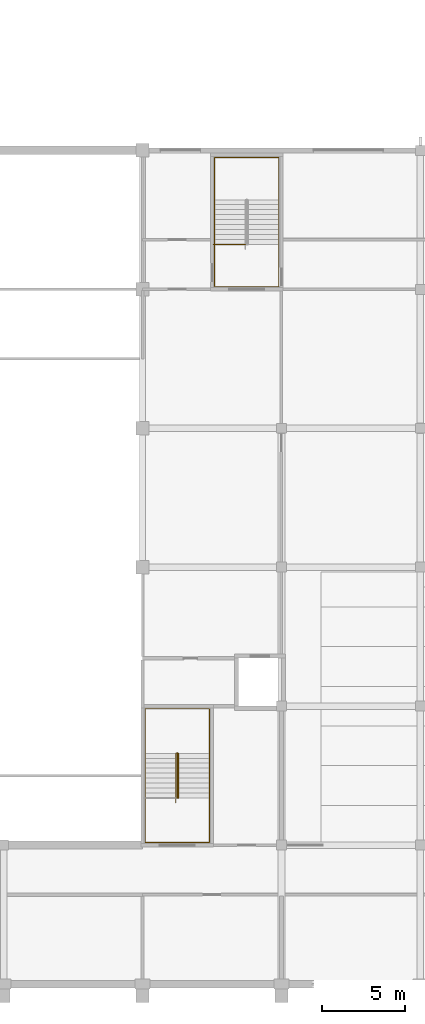
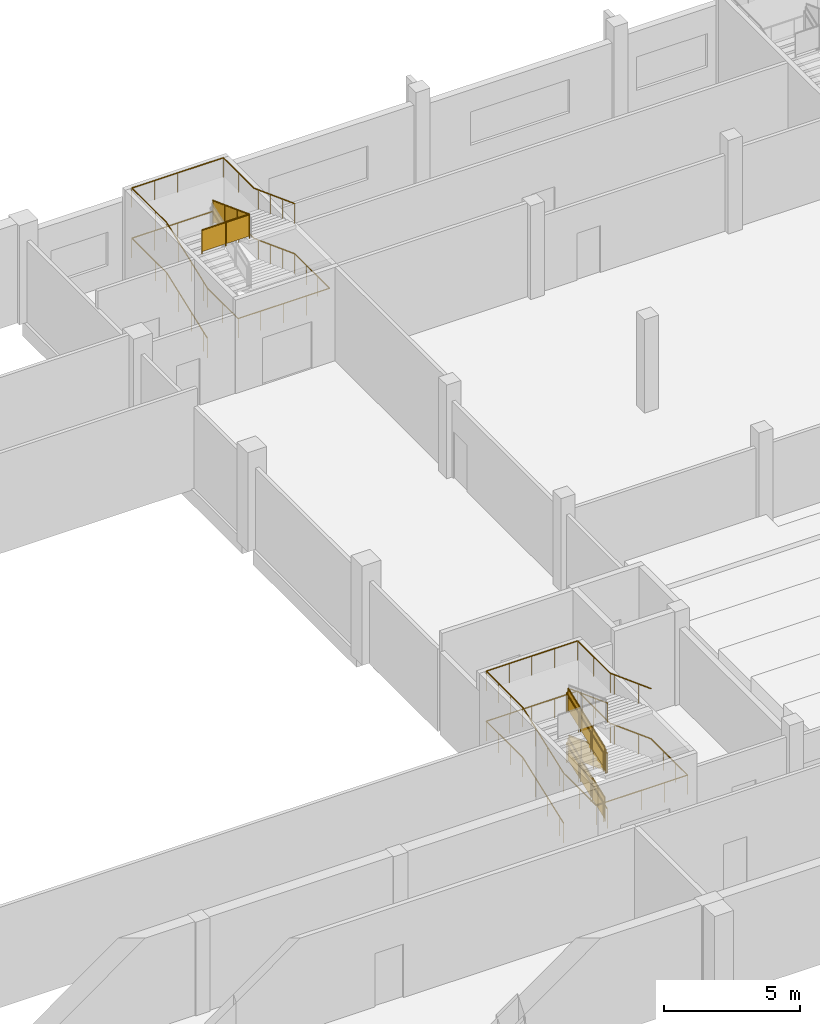
# One storey, part 48 of 56: 7 railings.
"""IFC4 building model written with IfcOpenShell, lengths in metres."""

from ifc_helpers import new_model, si_unit, direction, frame, origin, origin_2d, place, context, subcontext, project, spatial, polyline, circle, outline, extrude, material, type_object, element, save


model = new_model("IFC4")

# Units and contexts
model_context = context("Model", 3, precision=1e-05, world=origin(), true_north=direction((0.0, 1.0)))
body_context = subcontext(model_context, "Body", "Model", "MODEL_VIEW")
ifc_project = project(units=[si_unit("LENGTHUNIT", "METRE"), si_unit("AREAUNIT", "SQUARE_METRE"), si_unit("VOLUMEUNIT", "CUBIC_METRE"), si_unit("PLANEANGLEUNIT", "RADIAN"), si_unit("MASSUNIT", "GRAM", prefix="KILO")], contexts=[model_context])

# Site, building, storey
site_placement = place(None, origin())
site = spatial("IfcSite", under=ifc_project, at=site_placement, CompositionType="ELEMENT")
building_placement = place(site_placement, origin())
building = spatial("IfcBuilding", under=site, at=building_placement, Name="Rulbaag Community and Learning Centre", CompositionType="ELEMENT")
storey_placement = place(building_placement, frame((0.0, 0.0, 9.89990234375)))
storey = spatial("IfcBuildingStorey", under=building, at=storey_placement, Name="L02", CompositionType="ELEMENT", Elevation=9.89990234375)

# Railings
ifc_material_1 = material(Name="Galvanised mild steel", Category="steel")
railing_type_1 = type_object("IfcRailingType", Name="GR-1100 GUARD 1100", PredefinedType="GUARDRAIL", material=ifc_material_1)
railing_1_placement = place(storey_placement, frame((86.080078125, 11.25, 0.112548828125)))
element("IfcRailing", 1, at=railing_1_placement, inside=storey, type_object=railing_type_1, Name="Guard SH2 L02 G", PredefinedType="GUARDRAIL", context=body_context, shape_type="SweptSolid", body=[
    extrude(circle(Radius=0.02490234375, at=origin_2d()), frame((0.0, 0.0, 1.0751953125), z_axis=(0.0, 0.93633265699, 0.351114162993), x_axis=(-1.0, 0.0, 0.0)), (0.0, 0.0, 1.0), 2.883544921875),
    extrude(circle(Radius=0.02001953125, at=origin_2d()), origin(), (0.0, 0.0, 1.0), 1.050048828125),
    extrude(circle(Radius=0.02001953125, at=origin_2d()), frame((0.0, 0.89990234375, 0.33740234375)), (0.0, 0.0, 1.0), 1.050048828125),
    extrude(circle(Radius=0.02001953125, at=origin_2d()), frame((0.0, 1.800048828125, 0.675048828125)), (0.0, 0.0, 1.0), 1.050048828125),
    extrude(circle(Radius=0.02001953125, at=origin_2d()), frame((0.0, 2.699951171875, 1.012451171875)), (0.0, 0.0, 1.0), 1.050048828125),
    extrude(outline(polyline([(0.0, 0.0), (2.699951171875, 1.012451171875), (2.699951171875, 1.96240234375), (0.0, 0.949951171875), (0.0, 0.0)])), frame((-0.0048828125, 0.0, 0.10009765625), z_axis=(1.0, 0.0, 0.0), x_axis=(0.0, 1.0, 0.0)), (0.0, 0.0, 1.0), 0.010009765625),
])
railing_2_placement = place(storey_placement, frame((86.1201171875, 13.949951171875, 1.237548828125)))
element("IfcRailing", 2, at=railing_2_placement, inside=storey, type_object=railing_type_1, Name="Guard SH2 L02 G2", PredefinedType="GUARDRAIL", context=body_context, shape_type="SweptSolid", body=[
    extrude(circle(Radius=0.02490234375, at=origin_2d()), frame((0.0, 0.0, 1.0751953125), z_axis=(0.0, -0.93633265699, 0.351114162993), x_axis=(1.0, 0.0, 0.0)), (0.0, 0.0, 1.0), 2.883544921875),
    extrude(circle(Radius=0.02001953125, at=origin_2d()), origin(), (0.0, 0.0, 1.0), 1.050048828125),
    extrude(circle(Radius=0.02001953125, at=origin_2d()), frame((0.0, -0.89990234375, 0.33740234375)), (0.0, 0.0, 1.0), 1.050048828125),
    extrude(circle(Radius=0.02001953125, at=origin_2d()), frame((0.0, -1.800048828125, 0.675048828125)), (0.0, 0.0, 1.0), 1.050048828125),
    extrude(circle(Radius=0.02001953125, at=origin_2d()), frame((0.0, -2.699951171875, 1.012451171875)), (0.0, 0.0, 1.0), 1.050048828125),
    extrude(outline(polyline([(0.0, 0.0), (2.699951171875, 1.012451171875), (2.699951171875, 1.96240234375), (0.0, 0.949951171875), (0.0, 0.0)])), frame((0.0048828125, 0.0, 0.10009765625), z_axis=(-1.0, 0.0, 0.0), x_axis=(0.0, -1.0, 0.0)), (0.0, 0.0, 1.0), 0.010009765625),
])
railing_3_placement = place(storey_placement, frame((86.080078125, 11.25, 2.362548828125)))
element("IfcRailing", 3, at=railing_3_placement, inside=storey, type_object=railing_type_1, Name="Guard SH2 L02 G3", PredefinedType="GUARDRAIL", context=body_context, shape_type="SweptSolid", body=[
    extrude(circle(Radius=0.02490234375, at=origin_2d()), frame((0.0, 0.0, 1.0751953125), z_axis=(0.0, 0.93633265699, 0.351114162993), x_axis=(-1.0, 0.0, 0.0)), (0.0, 0.0, 1.0), 2.883544921875),
    extrude(circle(Radius=0.02001953125, at=origin_2d()), origin(), (0.0, 0.0, 1.0), 1.050048828125),
    extrude(circle(Radius=0.02001953125, at=origin_2d()), frame((0.0, 0.89990234375, 0.33740234375)), (0.0, 0.0, 1.0), 1.050048828125),
    extrude(circle(Radius=0.02001953125, at=origin_2d()), frame((0.0, 1.800048828125, 0.675048828125)), (0.0, 0.0, 1.0), 1.050048828125),
    extrude(circle(Radius=0.02001953125, at=origin_2d()), frame((0.0, 2.699951171875, 1.012451171875)), (0.0, 0.0, 1.0), 1.050048828125),
    extrude(outline(polyline([(0.0, 0.0), (2.699951171875, 1.012451171875), (2.699951171875, 1.96240234375), (0.0, 0.949951171875), (0.0, 0.0)])), frame((-0.0048828125, 0.0, 0.10009765625), z_axis=(1.0, 0.0, 0.0), x_axis=(0.0, 1.0, 0.0)), (0.0, 0.0, 1.0), 0.010009765625),
])
railing_4_placement = place(storey_placement, frame((90.320068359375, 47.41259765625, 3.487548828125)))
element("IfcRailing", 4, at=railing_4_placement, inside=storey, type_object=railing_type_1, Name="Guard SH6 L02 G4", PredefinedType="GUARDRAIL", context=body_context, shape_type="SweptSolid", body=[
    extrude(circle(Radius=0.02490234375, at=origin_2d()), frame((0.0, 0.0, 1.0751953125), z_axis=(0.0, -0.936343093598, 0.351086329941), x_axis=(1.0, 0.0, 0.0)), (0.0, 0.0, 1.0), 2.8837890625),
    extrude(circle(Radius=0.02490234375, at=origin_2d()), frame((0.0, -2.7001953125, 2.08740234375), z_axis=(-1.0, 0.0, 0.0), x_axis=(0.0, -1.0, 0.0)), (0.0, 0.0, 1.0), 2.02001953125),
    extrude(circle(Radius=0.02001953125, at=origin_2d()), origin(), (0.0, 0.0, 1.0), 1.050048828125),
    extrude(circle(Radius=0.02001953125, at=origin_2d()), frame((0.0, -0.900146484375, 0.33740234375)), (0.0, 0.0, 1.0), 1.050048828125),
    extrude(circle(Radius=0.02001953125, at=origin_2d()), frame((0.0, -1.800048828125, 0.675048828125)), (0.0, 0.0, 1.0), 1.050048828125),
    extrude(circle(Radius=0.02001953125, at=origin_2d()), frame((0.0, -2.7001953125, 1.012451171875)), (0.0, 0.0, 1.0), 1.050048828125),
    extrude(circle(Radius=0.02001953125, at=origin_2d()), frame((-1.010009765625, -2.7001953125, 1.012451171875)), (0.0, 0.0, 1.0), 1.050048828125),
    extrude(circle(Radius=0.02001953125, at=origin_2d()), frame((-2.02001953125, -2.7001953125, 1.012451171875)), (0.0, 0.0, 1.0), 1.050048828125),
    extrude(outline(polyline([(0.0, 0.0), (2.7001953125, 1.012451171875), (2.7001953125, 1.96240234375), (0.0, 0.949951171875), (0.0, 0.0)])), frame((0.0048828125, 0.0, 0.10009765625), z_axis=(-1.0, 0.0, 0.0), x_axis=(0.0, -1.0, 0.0)), (0.0, 0.0, 1.0), 0.010009765625),
    extrude(outline(polyline([(0.0, 0.0), (2.02001953125, 0.0), (2.02001953125, 0.949951171875), (0.0, 0.949951171875), (0.0, 0.0)])), frame((0.0, -2.705078125, 1.112548828125), z_axis=(0.0, 1.0, 0.0), x_axis=(-1.0, 0.0, 0.0)), (0.0, 0.0, 1.0), 0.010009765625),
])
ifc_material_2 = material(Name="Stainless steel grade 316", Category="steel")
railing_type_2 = type_object("IfcRailingType", Name="HR-900 HANDRAIL 900", PredefinedType="HANDRAIL", material=ifc_material_2)
railing_5_placement = place(storey_placement, frame((84.159912109375, 10.949951171875, 0.0)))
element("IfcRailing", 5, at=railing_5_placement, inside=storey, type_object=railing_type_2, Name="Handrail SH2 L02 O", PredefinedType="HANDRAIL", context=body_context, shape_type="SweptSolid", body=[
    extrude(circle(Radius=0.024169921875, at=origin_2d()), frame((0.0, 0.0, 0.875732421875), z_axis=(0.0, 0.936297865471, 0.351206929196), x_axis=(-1.0, 0.0, 0.0)), (0.0, 0.0, 1.0), 0.320556640625),
    extrude(circle(Radius=0.024169921875, at=origin_2d()), frame((0.0, 0.300048828125, 0.98828125), z_axis=(0.0, 0.93633265699, 0.351114162993), x_axis=(-1.0, 0.0, 0.0)), (0.0, 0.0, 1.0), 2.883544921875),
    extrude(circle(Radius=0.024169921875, at=origin_2d()), frame((0.0, 3.0, 2.000732421875), z_axis=(0.0, 1.0, 0.0), x_axis=(-1.0, 0.0, 0.0)), (0.0, 0.0, 1.0), 2.68994140625),
    extrude(circle(Radius=0.024169921875, at=origin_2d()), frame((0.0, 5.68994140625, 2.000732421875), z_axis=(1.0, 0.0, 0.0), x_axis=(0.0, 1.0, 0.0)), (0.0, 0.0, 1.0), 3.880126953125),
    extrude(circle(Radius=0.024169921875, at=origin_2d()), frame((3.880126953125, 5.68994140625, 2.000732421875), z_axis=(0.0, -1.0, 0.0), x_axis=(1.0, 0.0, 0.0)), (0.0, 0.0, 1.0), 2.389892578125),
    extrude(circle(Radius=0.024169921875, at=origin_2d()), frame((3.880126953125, 3.300048828125, 2.000732421875), z_axis=(0.0, -0.936297865471, 0.351206929196), x_axis=(1.0, 0.0, 0.0)), (0.0, 0.0, 1.0), 0.320556640625),
    extrude(circle(Radius=0.024169921875, at=origin_2d()), frame((3.880126953125, 3.0, 2.11328125), z_axis=(0.0, -0.93633265699, 0.351114162993), x_axis=(1.0, 0.0, 0.0)), (0.0, 0.0, 1.0), 2.883544921875),
    extrude(circle(Radius=0.024169921875, at=origin_2d()), frame((3.880126953125, 0.300048828125, 3.125732421875), z_axis=(0.0, -1.0, 0.0), x_axis=(1.0, 0.0, 0.0)), (0.0, 0.0, 1.0), 2.68994140625),
    extrude(circle(Radius=0.024169921875, at=origin_2d()), frame((3.880126953125, -2.389892578125, 3.125732421875), z_axis=(-1.0, 0.0, 0.0), x_axis=(0.0, -1.0, 0.0)), (0.0, 0.0, 1.0), 3.880126953125),
    extrude(circle(Radius=0.024169921875, at=origin_2d()), frame((0.0, -2.389892578125, 3.125732421875), z_axis=(0.0, 1.0, 0.0), x_axis=(-1.0, 0.0, 0.0)), (0.0, 0.0, 1.0), 2.389892578125),
    extrude(circle(Radius=0.024169921875, at=origin_2d()), frame((0.0, 0.0, 3.125732421875), z_axis=(0.0, 0.936297865471, 0.351206929196), x_axis=(-1.0, 0.0, 0.0)), (0.0, 0.0, 1.0), 0.320556640625),
    extrude(circle(Radius=0.024169921875, at=origin_2d()), frame((0.0, 0.300048828125, 3.23828125), z_axis=(0.0, 0.93633265699, 0.351114162993), x_axis=(-1.0, 0.0, 0.0)), (0.0, 0.0, 1.0), 2.883544921875),
    extrude(circle(Radius=0.024169921875, at=origin_2d()), frame((0.0, 3.0, 4.250732421875), z_axis=(0.0, 1.0, 0.0), x_axis=(-1.0, 0.0, 0.0)), (0.0, 0.0, 1.0), 2.68994140625),
    extrude(circle(Radius=0.024169921875, at=origin_2d()), frame((0.0, 5.68994140625, 4.250732421875), z_axis=(1.0, 0.0, 0.0), x_axis=(0.0, 1.0, 0.0)), (0.0, 0.0, 1.0), 3.880126953125),
    extrude(circle(Radius=0.024169921875, at=origin_2d()), frame((3.880126953125, 5.68994140625, 4.250732421875), z_axis=(0.0, -1.0, 0.0), x_axis=(1.0, 0.0, 0.0)), (0.0, 0.0, 1.0), 2.389892578125),
    extrude(circle(Radius=0.024169921875, at=origin_2d()), frame((3.880126953125, 3.300048828125, 4.250732421875), z_axis=(0.0, -0.936297865471, 0.351206929196), x_axis=(1.0, 0.0, 0.0)), (0.0, 0.0, 1.0), 0.320556640625),
    extrude(circle(Radius=0.024169921875, at=origin_2d()), frame((3.880126953125, 3.0, 4.36328125), z_axis=(0.0, -0.93633265699, 0.351114162993), x_axis=(1.0, 0.0, 0.0)), (0.0, 0.0, 1.0), 2.883544921875),
    extrude(circle(Radius=0.008056640625, at=origin_2d()), origin(), (0.0, 0.0, 1.0), 0.8515625),
    extrude(circle(Radius=0.008056640625, at=origin_2d()), frame((0.0, 0.300048828125, 0.112548828125)), (0.0, 0.0, 1.0), 0.8515625),
    extrude(circle(Radius=0.008056640625, at=origin_2d()), frame((0.0, 1.199951171875, 0.449951171875)), (0.0, 0.0, 1.0), 0.8515625),
    extrude(circle(Radius=0.008056640625, at=origin_2d()), frame((0.0, 2.10009765625, 0.78759765625)), (0.0, 0.0, 1.0), 0.8515625),
    extrude(circle(Radius=0.008056640625, at=origin_2d()), frame((0.0, 3.0, 1.125)), (0.0, 0.0, 1.0), 0.8515625),
    extrude(circle(Radius=0.008056640625, at=origin_2d()), frame((0.0, 3.896728515625, 1.125)), (0.0, 0.0, 1.0), 0.8515625),
    extrude(circle(Radius=0.008056640625, at=origin_2d()), frame((0.0, 4.793212890625, 1.125)), (0.0, 0.0, 1.0), 0.8515625),
    extrude(circle(Radius=0.008056640625, at=origin_2d()), frame((0.0, 5.68994140625, 1.125)), (0.0, 0.0, 1.0), 0.8515625),
    extrude(circle(Radius=0.008056640625, at=origin_2d()), frame((0.969970703125, 5.68994140625, 1.125)), (0.0, 0.0, 1.0), 0.8515625),
    extrude(circle(Radius=0.008056640625, at=origin_2d()), frame((1.93994140625, 5.68994140625, 1.125)), (0.0, 0.0, 1.0), 0.8515625),
    extrude(circle(Radius=0.008056640625, at=origin_2d()), frame((2.91015625, 5.68994140625, 1.125)), (0.0, 0.0, 1.0), 0.8515625),
    extrude(circle(Radius=0.008056640625, at=origin_2d()), frame((3.880126953125, 5.68994140625, 1.125)), (0.0, 0.0, 1.0), 0.8515625),
    extrude(circle(Radius=0.008056640625, at=origin_2d()), frame((3.880126953125, 4.4951171875, 1.125)), (0.0, 0.0, 1.0), 0.8515625),
    extrude(circle(Radius=0.008056640625, at=origin_2d()), frame((3.880126953125, 3.300048828125, 1.125)), (0.0, 0.0, 1.0), 0.8515625),
    extrude(circle(Radius=0.008056640625, at=origin_2d()), frame((3.880126953125, 3.0, 1.237548828125)), (0.0, 0.0, 1.0), 0.8515625),
    extrude(circle(Radius=0.008056640625, at=origin_2d()), frame((3.880126953125, 2.10009765625, 1.574951171875)), (0.0, 0.0, 1.0), 0.8515625),
    extrude(circle(Radius=0.008056640625, at=origin_2d()), frame((3.880126953125, 1.199951171875, 1.91259765625)), (0.0, 0.0, 1.0), 0.8515625),
    extrude(circle(Radius=0.008056640625, at=origin_2d()), frame((3.880126953125, 0.300048828125, 2.25)), (0.0, 0.0, 1.0), 0.8515625),
    extrude(circle(Radius=0.008056640625, at=origin_2d()), frame((3.880126953125, -0.5966796875, 2.25)), (0.0, 0.0, 1.0), 0.8515625),
    extrude(circle(Radius=0.008056640625, at=origin_2d()), frame((3.880126953125, -1.4931640625, 2.25)), (0.0, 0.0, 1.0), 0.8515625),
    extrude(circle(Radius=0.008056640625, at=origin_2d()), frame((3.880126953125, -2.389892578125, 2.25)), (0.0, 0.0, 1.0), 0.8515625),
    extrude(circle(Radius=0.008056640625, at=origin_2d()), frame((2.91015625, -2.389892578125, 2.25)), (0.0, 0.0, 1.0), 0.8515625),
    extrude(circle(Radius=0.008056640625, at=origin_2d()), frame((1.93994140625, -2.389892578125, 2.25)), (0.0, 0.0, 1.0), 0.8515625),
    extrude(circle(Radius=0.008056640625, at=origin_2d()), frame((0.969970703125, -2.389892578125, 2.25)), (0.0, 0.0, 1.0), 0.8515625),
    extrude(circle(Radius=0.008056640625, at=origin_2d()), frame((0.0, -2.389892578125, 2.25)), (0.0, 0.0, 1.0), 0.8515625),
    extrude(circle(Radius=0.008056640625, at=origin_2d()), frame((0.0, -1.19482421875, 2.25)), (0.0, 0.0, 1.0), 0.8515625),
    extrude(circle(Radius=0.008056640625, at=origin_2d()), frame((0.0, 0.0, 2.25)), (0.0, 0.0, 1.0), 0.8515625),
    extrude(circle(Radius=0.008056640625, at=origin_2d()), frame((0.0, 0.300048828125, 2.362548828125)), (0.0, 0.0, 1.0), 0.8515625),
    extrude(circle(Radius=0.008056640625, at=origin_2d()), frame((0.0, 1.199951171875, 2.699951171875)), (0.0, 0.0, 1.0), 0.8515625),
    extrude(circle(Radius=0.008056640625, at=origin_2d()), frame((0.0, 2.10009765625, 3.03759765625)), (0.0, 0.0, 1.0), 0.8515625),
    extrude(circle(Radius=0.008056640625, at=origin_2d()), frame((0.0, 3.0, 3.375)), (0.0, 0.0, 1.0), 0.8515625),
    extrude(circle(Radius=0.008056640625, at=origin_2d()), frame((0.0, 3.896728515625, 3.375)), (0.0, 0.0, 1.0), 0.8515625),
    extrude(circle(Radius=0.008056640625, at=origin_2d()), frame((0.0, 4.793212890625, 3.375)), (0.0, 0.0, 1.0), 0.8515625),
    extrude(circle(Radius=0.008056640625, at=origin_2d()), frame((0.0, 5.68994140625, 3.375)), (0.0, 0.0, 1.0), 0.8515625),
    extrude(circle(Radius=0.008056640625, at=origin_2d()), frame((0.969970703125, 5.68994140625, 3.375)), (0.0, 0.0, 1.0), 0.8515625),
    extrude(circle(Radius=0.008056640625, at=origin_2d()), frame((1.93994140625, 5.68994140625, 3.375)), (0.0, 0.0, 1.0), 0.8515625),
    extrude(circle(Radius=0.008056640625, at=origin_2d()), frame((2.91015625, 5.68994140625, 3.375)), (0.0, 0.0, 1.0), 0.8515625),
    extrude(circle(Radius=0.008056640625, at=origin_2d()), frame((3.880126953125, 5.68994140625, 3.375)), (0.0, 0.0, 1.0), 0.8515625),
    extrude(circle(Radius=0.008056640625, at=origin_2d()), frame((3.880126953125, 4.4951171875, 3.375)), (0.0, 0.0, 1.0), 0.8515625),
    extrude(circle(Radius=0.008056640625, at=origin_2d()), frame((3.880126953125, 3.300048828125, 3.375)), (0.0, 0.0, 1.0), 0.8515625),
    extrude(circle(Radius=0.008056640625, at=origin_2d()), frame((3.880126953125, 3.0, 3.487548828125)), (0.0, 0.0, 1.0), 0.8515625),
    extrude(circle(Radius=0.008056640625, at=origin_2d()), frame((3.880126953125, 2.10009765625, 3.824951171875)), (0.0, 0.0, 1.0), 0.8515625),
    extrude(circle(Radius=0.008056640625, at=origin_2d()), frame((3.880126953125, 1.199951171875, 4.16259765625)), (0.0, 0.0, 1.0), 0.8515625),
    extrude(circle(Radius=0.008056640625, at=origin_2d()), frame((3.880126953125, 0.300048828125, 4.5)), (0.0, 0.0, 1.0), 0.8515625),
])
railing_6_placement = place(storey_placement, frame((86.010009765625, 10.949951171875, 0.0)))
element("IfcRailing", 6, at=railing_6_placement, inside=storey, type_object=railing_type_2, Name="Handrail SH2 L02 I", PredefinedType="HANDRAIL", context=body_context, shape_type="SweptSolid", body=[
    extrude(circle(Radius=0.024169921875, at=origin_2d()), frame((0.0, 0.0, 0.875732421875), z_axis=(0.0, 0.936297865471, 0.351206929196), x_axis=(-1.0, 0.0, 0.0)), (0.0, 0.0, 1.0), 0.320556640625),
    extrude(circle(Radius=0.024169921875, at=origin_2d()), frame((0.0, 0.300048828125, 0.98828125), z_axis=(0.0, 0.93633265699, 0.351114162993), x_axis=(-1.0, 0.0, 0.0)), (0.0, 0.0, 1.0), 2.883544921875),
    extrude(circle(Radius=0.024169921875, at=origin_2d()), frame((0.0, 3.0, 2.000732421875), z_axis=(0.847804368873, 0.0, 0.530309109973), x_axis=(0.0, 1.0, 0.0)), (0.0, 0.0, 1.0), 0.212158203125),
    extrude(circle(Radius=0.024169921875, at=origin_2d()), frame((0.179931640625, 3.0, 2.11328125), z_axis=(0.0, -0.93633265699, 0.351114162993), x_axis=(1.0, 0.0, 0.0)), (0.0, 0.0, 1.0), 2.883544921875),
    extrude(circle(Radius=0.024169921875, at=origin_2d()), frame((0.179931640625, 0.300048828125, 3.125732421875), z_axis=(-0.847804368873, 0.0, 0.530309109973), x_axis=(0.0, -1.0, 0.0)), (0.0, 0.0, 1.0), 0.212158203125),
    extrude(circle(Radius=0.024169921875, at=origin_2d()), frame((0.0, 0.300048828125, 3.23828125), z_axis=(0.0, 0.93633265699, 0.351114162993), x_axis=(-1.0, 0.0, 0.0)), (0.0, 0.0, 1.0), 2.883544921875),
    extrude(circle(Radius=0.024169921875, at=origin_2d()), frame((0.0, 3.0, 4.250732421875), z_axis=(0.847804368873, 0.0, 0.530309109973), x_axis=(0.0, 1.0, 0.0)), (0.0, 0.0, 1.0), 0.212158203125),
    extrude(circle(Radius=0.024169921875, at=origin_2d()), frame((0.179931640625, 3.0, 4.36328125), z_axis=(0.0, -0.93633265699, 0.351114162993), x_axis=(1.0, 0.0, 0.0)), (0.0, 0.0, 1.0), 2.883544921875),
    extrude(circle(Radius=0.008056640625, at=origin_2d()), origin(), (0.0, 0.0, 1.0), 0.8515625),
    extrude(circle(Radius=0.008056640625, at=origin_2d()), frame((0.0, 0.300048828125, 0.112548828125)), (0.0, 0.0, 1.0), 0.8515625),
    extrude(circle(Radius=0.008056640625, at=origin_2d()), frame((0.0, 1.199951171875, 0.449951171875)), (0.0, 0.0, 1.0), 0.8515625),
    extrude(circle(Radius=0.008056640625, at=origin_2d()), frame((0.0, 2.10009765625, 0.78759765625)), (0.0, 0.0, 1.0), 0.8515625),
    extrude(circle(Radius=0.008056640625, at=origin_2d()), frame((0.0, 3.0, 1.125)), (0.0, 0.0, 1.0), 0.8515625),
    extrude(circle(Radius=0.008056640625, at=origin_2d()), frame((0.179931640625, 3.0, 1.237548828125)), (0.0, 0.0, 1.0), 0.8515625),
    extrude(circle(Radius=0.008056640625, at=origin_2d()), frame((0.179931640625, 2.10009765625, 1.574951171875)), (0.0, 0.0, 1.0), 0.8515625),
    extrude(circle(Radius=0.008056640625, at=origin_2d()), frame((0.179931640625, 1.199951171875, 1.91259765625)), (0.0, 0.0, 1.0), 0.8515625),
    extrude(circle(Radius=0.008056640625, at=origin_2d()), frame((0.179931640625, 0.300048828125, 2.25)), (0.0, 0.0, 1.0), 0.8515625),
    extrude(circle(Radius=0.008056640625, at=origin_2d()), frame((0.0, 0.300048828125, 2.362548828125)), (0.0, 0.0, 1.0), 0.8515625),
    extrude(circle(Radius=0.008056640625, at=origin_2d()), frame((0.0, 1.199951171875, 2.699951171875)), (0.0, 0.0, 1.0), 0.8515625),
    extrude(circle(Radius=0.008056640625, at=origin_2d()), frame((0.0, 2.10009765625, 3.03759765625)), (0.0, 0.0, 1.0), 0.8515625),
    extrude(circle(Radius=0.008056640625, at=origin_2d()), frame((0.0, 3.0, 3.375)), (0.0, 0.0, 1.0), 0.8515625),
    extrude(circle(Radius=0.008056640625, at=origin_2d()), frame((0.179931640625, 3.0, 3.487548828125)), (0.0, 0.0, 1.0), 0.8515625),
    extrude(circle(Radius=0.008056640625, at=origin_2d()), frame((0.179931640625, 2.10009765625, 3.824951171875)), (0.0, 0.0, 1.0), 0.8515625),
    extrude(circle(Radius=0.008056640625, at=origin_2d()), frame((0.179931640625, 1.199951171875, 4.16259765625)), (0.0, 0.0, 1.0), 0.8515625),
    extrude(circle(Radius=0.008056640625, at=origin_2d()), frame((0.179931640625, 0.300048828125, 4.5)), (0.0, 0.0, 1.0), 0.8515625),
])
railing_7_placement = place(storey_placement, frame((88.360107421875, 44.41259765625, 0.0)))
element("IfcRailing", 7, at=railing_7_placement, inside=storey, type_object=railing_type_2, Name="Handrail SH6 L02 O", PredefinedType="HANDRAIL", context=body_context, shape_type="SweptSolid", body=[
    extrude(circle(Radius=0.024169921875, at=origin_2d()), frame((0.0, 0.0, 0.875732421875), z_axis=(0.0, 0.936203795034, 0.351457613608), x_axis=(-1.0, 0.0, 0.0)), (0.0, 0.0, 1.0), 0.3203125),
    extrude(circle(Radius=0.024169921875, at=origin_2d()), frame((0.0, 0.2998046875, 0.98828125), z_axis=(0.0, 0.936343093598, 0.351086329941), x_axis=(-1.0, 0.0, 0.0)), (0.0, 0.0, 1.0), 2.8837890625),
    extrude(circle(Radius=0.024169921875, at=origin_2d()), frame((0.0, 3.0, 2.000732421875), z_axis=(0.0, 1.0, 0.0), x_axis=(-1.0, 0.0, 0.0)), (0.0, 0.0, 1.0), 2.552490234375),
    extrude(circle(Radius=0.024169921875, at=origin_2d()), frame((0.0, 5.552490234375, 2.000732421875), z_axis=(1.0, 0.0, 0.0), x_axis=(0.0, 1.0, 0.0)), (0.0, 0.0, 1.0), 3.8798828125),
    extrude(circle(Radius=0.024169921875, at=origin_2d()), frame((3.8798828125, 5.552490234375, 2.000732421875), z_axis=(0.0, -1.0, 0.0), x_axis=(1.0, 0.0, 0.0)), (0.0, 0.0, 1.0), 2.252685546875),
    extrude(circle(Radius=0.024169921875, at=origin_2d()), frame((3.8798828125, 3.2998046875, 2.000732421875), z_axis=(0.0, -0.936203795034, 0.351457613608), x_axis=(1.0, 0.0, 0.0)), (0.0, 0.0, 1.0), 0.3203125),
    extrude(circle(Radius=0.024169921875, at=origin_2d()), frame((3.8798828125, 3.0, 2.11328125), z_axis=(0.0, -0.936343093598, 0.351086329941), x_axis=(1.0, 0.0, 0.0)), (0.0, 0.0, 1.0), 2.8837890625),
    extrude(circle(Radius=0.024169921875, at=origin_2d()), frame((3.8798828125, 0.2998046875, 3.125732421875), z_axis=(0.0, -1.0, 0.0), x_axis=(1.0, 0.0, 0.0)), (0.0, 0.0, 1.0), 2.552490234375),
    extrude(circle(Radius=0.024169921875, at=origin_2d()), frame((3.8798828125, -2.252685546875, 3.125732421875), z_axis=(-1.0, 0.0, 0.0), x_axis=(0.0, -1.0, 0.0)), (0.0, 0.0, 1.0), 3.8798828125),
    extrude(circle(Radius=0.024169921875, at=origin_2d()), frame((0.0, -2.252685546875, 3.125732421875), z_axis=(0.0, 1.0, 0.0), x_axis=(-1.0, 0.0, 0.0)), (0.0, 0.0, 1.0), 2.252685546875),
    extrude(circle(Radius=0.024169921875, at=origin_2d()), frame((0.0, 0.0, 3.125732421875), z_axis=(0.0, 0.936203795034, 0.351457613608), x_axis=(-1.0, 0.0, 0.0)), (0.0, 0.0, 1.0), 0.3203125),
    extrude(circle(Radius=0.024169921875, at=origin_2d()), frame((0.0, 0.2998046875, 3.23828125), z_axis=(0.0, 0.936343093598, 0.351086329941), x_axis=(-1.0, 0.0, 0.0)), (0.0, 0.0, 1.0), 2.8837890625),
    extrude(circle(Radius=0.024169921875, at=origin_2d()), frame((0.0, 3.0, 4.250732421875), z_axis=(0.0, 1.0, 0.0), x_axis=(-1.0, 0.0, 0.0)), (0.0, 0.0, 1.0), 2.552490234375),
    extrude(circle(Radius=0.024169921875, at=origin_2d()), frame((0.0, 5.552490234375, 4.250732421875), z_axis=(1.0, 0.0, 0.0), x_axis=(0.0, 1.0, 0.0)), (0.0, 0.0, 1.0), 3.8798828125),
    extrude(circle(Radius=0.024169921875, at=origin_2d()), frame((3.8798828125, 5.552490234375, 4.250732421875), z_axis=(0.0, -1.0, 0.0), x_axis=(1.0, 0.0, 0.0)), (0.0, 0.0, 1.0), 2.252685546875),
    extrude(circle(Radius=0.024169921875, at=origin_2d()), frame((3.8798828125, 3.2998046875, 4.250732421875), z_axis=(0.0, -0.936203795034, 0.351457613608), x_axis=(1.0, 0.0, 0.0)), (0.0, 0.0, 1.0), 0.3203125),
    extrude(circle(Radius=0.024169921875, at=origin_2d()), frame((3.8798828125, 3.0, 4.36328125), z_axis=(0.0, -0.936343093598, 0.351086329941), x_axis=(1.0, 0.0, 0.0)), (0.0, 0.0, 1.0), 2.8837890625),
    extrude(circle(Radius=0.008056640625, at=origin_2d()), origin(), (0.0, 0.0, 1.0), 0.8515625),
    extrude(circle(Radius=0.008056640625, at=origin_2d()), frame((0.0, 0.2998046875, 0.112548828125)), (0.0, 0.0, 1.0), 0.8515625),
    extrude(circle(Radius=0.008056640625, at=origin_2d()), frame((0.0, 1.199951171875, 0.449951171875)), (0.0, 0.0, 1.0), 0.8515625),
    extrude(circle(Radius=0.008056640625, at=origin_2d()), frame((0.0, 2.099853515625, 0.78759765625)), (0.0, 0.0, 1.0), 0.8515625),
    extrude(circle(Radius=0.008056640625, at=origin_2d()), frame((0.0, 3.0, 1.125)), (0.0, 0.0, 1.0), 0.8515625),
    extrude(circle(Radius=0.008056640625, at=origin_2d()), frame((0.0, 3.850830078125, 1.125)), (0.0, 0.0, 1.0), 0.8515625),
    extrude(circle(Radius=0.008056640625, at=origin_2d()), frame((0.0, 4.70166015625, 1.125)), (0.0, 0.0, 1.0), 0.8515625),
    extrude(circle(Radius=0.008056640625, at=origin_2d()), frame((0.0, 5.552490234375, 1.125)), (0.0, 0.0, 1.0), 0.8515625),
    extrude(circle(Radius=0.008056640625, at=origin_2d()), frame((0.969970703125, 5.552490234375, 1.125)), (0.0, 0.0, 1.0), 0.8515625),
    extrude(circle(Radius=0.008056640625, at=origin_2d()), frame((1.93994140625, 5.552490234375, 1.125)), (0.0, 0.0, 1.0), 0.8515625),
    extrude(circle(Radius=0.008056640625, at=origin_2d()), frame((2.909912109375, 5.552490234375, 1.125)), (0.0, 0.0, 1.0), 0.8515625),
    extrude(circle(Radius=0.008056640625, at=origin_2d()), frame((3.8798828125, 5.552490234375, 1.125)), (0.0, 0.0, 1.0), 0.8515625),
    extrude(circle(Radius=0.008056640625, at=origin_2d()), frame((3.8798828125, 4.42626953125, 1.125)), (0.0, 0.0, 1.0), 0.8515625),
    extrude(circle(Radius=0.008056640625, at=origin_2d()), frame((3.8798828125, 3.2998046875, 1.125)), (0.0, 0.0, 1.0), 0.8515625),
    extrude(circle(Radius=0.008056640625, at=origin_2d()), frame((3.8798828125, 3.0, 1.237548828125)), (0.0, 0.0, 1.0), 0.8515625),
    extrude(circle(Radius=0.008056640625, at=origin_2d()), frame((3.8798828125, 2.099853515625, 1.574951171875)), (0.0, 0.0, 1.0), 0.8515625),
    extrude(circle(Radius=0.008056640625, at=origin_2d()), frame((3.8798828125, 1.199951171875, 1.91259765625)), (0.0, 0.0, 1.0), 0.8515625),
    extrude(circle(Radius=0.008056640625, at=origin_2d()), frame((3.8798828125, 0.2998046875, 2.25)), (0.0, 0.0, 1.0), 0.8515625),
    extrude(circle(Radius=0.008056640625, at=origin_2d()), frame((3.8798828125, -0.551025390625, 2.25)), (0.0, 0.0, 1.0), 0.8515625),
    extrude(circle(Radius=0.008056640625, at=origin_2d()), frame((3.8798828125, -1.40185546875, 2.25)), (0.0, 0.0, 1.0), 0.8515625),
    extrude(circle(Radius=0.008056640625, at=origin_2d()), frame((3.8798828125, -2.252685546875, 2.25)), (0.0, 0.0, 1.0), 0.8515625),
    extrude(circle(Radius=0.008056640625, at=origin_2d()), frame((2.909912109375, -2.252685546875, 2.25)), (0.0, 0.0, 1.0), 0.8515625),
    extrude(circle(Radius=0.008056640625, at=origin_2d()), frame((1.93994140625, -2.252685546875, 2.25)), (0.0, 0.0, 1.0), 0.8515625),
    extrude(circle(Radius=0.008056640625, at=origin_2d()), frame((0.969970703125, -2.252685546875, 2.25)), (0.0, 0.0, 1.0), 0.8515625),
    extrude(circle(Radius=0.008056640625, at=origin_2d()), frame((0.0, -2.252685546875, 2.25)), (0.0, 0.0, 1.0), 0.8515625),
    extrude(circle(Radius=0.008056640625, at=origin_2d()), frame((0.0, -1.12646484375, 2.25)), (0.0, 0.0, 1.0), 0.8515625),
    extrude(circle(Radius=0.008056640625, at=origin_2d()), frame((0.0, 0.0, 2.25)), (0.0, 0.0, 1.0), 0.8515625),
    extrude(circle(Radius=0.008056640625, at=origin_2d()), frame((0.0, 0.2998046875, 2.362548828125)), (0.0, 0.0, 1.0), 0.8515625),
    extrude(circle(Radius=0.008056640625, at=origin_2d()), frame((0.0, 1.199951171875, 2.699951171875)), (0.0, 0.0, 1.0), 0.8515625),
    extrude(circle(Radius=0.008056640625, at=origin_2d()), frame((0.0, 2.099853515625, 3.03759765625)), (0.0, 0.0, 1.0), 0.8515625),
    extrude(circle(Radius=0.008056640625, at=origin_2d()), frame((0.0, 3.0, 3.375)), (0.0, 0.0, 1.0), 0.8515625),
    extrude(circle(Radius=0.008056640625, at=origin_2d()), frame((0.0, 3.850830078125, 3.375)), (0.0, 0.0, 1.0), 0.8515625),
    extrude(circle(Radius=0.008056640625, at=origin_2d()), frame((0.0, 4.70166015625, 3.375)), (0.0, 0.0, 1.0), 0.8515625),
    extrude(circle(Radius=0.008056640625, at=origin_2d()), frame((0.0, 5.552490234375, 3.375)), (0.0, 0.0, 1.0), 0.8515625),
    extrude(circle(Radius=0.008056640625, at=origin_2d()), frame((0.969970703125, 5.552490234375, 3.375)), (0.0, 0.0, 1.0), 0.8515625),
    extrude(circle(Radius=0.008056640625, at=origin_2d()), frame((1.93994140625, 5.552490234375, 3.375)), (0.0, 0.0, 1.0), 0.8515625),
    extrude(circle(Radius=0.008056640625, at=origin_2d()), frame((2.909912109375, 5.552490234375, 3.375)), (0.0, 0.0, 1.0), 0.8515625),
    extrude(circle(Radius=0.008056640625, at=origin_2d()), frame((3.8798828125, 5.552490234375, 3.375)), (0.0, 0.0, 1.0), 0.8515625),
    extrude(circle(Radius=0.008056640625, at=origin_2d()), frame((3.8798828125, 4.42626953125, 3.375)), (0.0, 0.0, 1.0), 0.8515625),
    extrude(circle(Radius=0.008056640625, at=origin_2d()), frame((3.8798828125, 3.2998046875, 3.375)), (0.0, 0.0, 1.0), 0.8515625),
    extrude(circle(Radius=0.008056640625, at=origin_2d()), frame((3.8798828125, 3.0, 3.487548828125)), (0.0, 0.0, 1.0), 0.8515625),
    extrude(circle(Radius=0.008056640625, at=origin_2d()), frame((3.8798828125, 2.099853515625, 3.824951171875)), (0.0, 0.0, 1.0), 0.8515625),
    extrude(circle(Radius=0.008056640625, at=origin_2d()), frame((3.8798828125, 1.199951171875, 4.16259765625)), (0.0, 0.0, 1.0), 0.8515625),
    extrude(circle(Radius=0.008056640625, at=origin_2d()), frame((3.8798828125, 0.2998046875, 4.5)), (0.0, 0.0, 1.0), 0.8515625),
])

save(model, "model.ifc")
